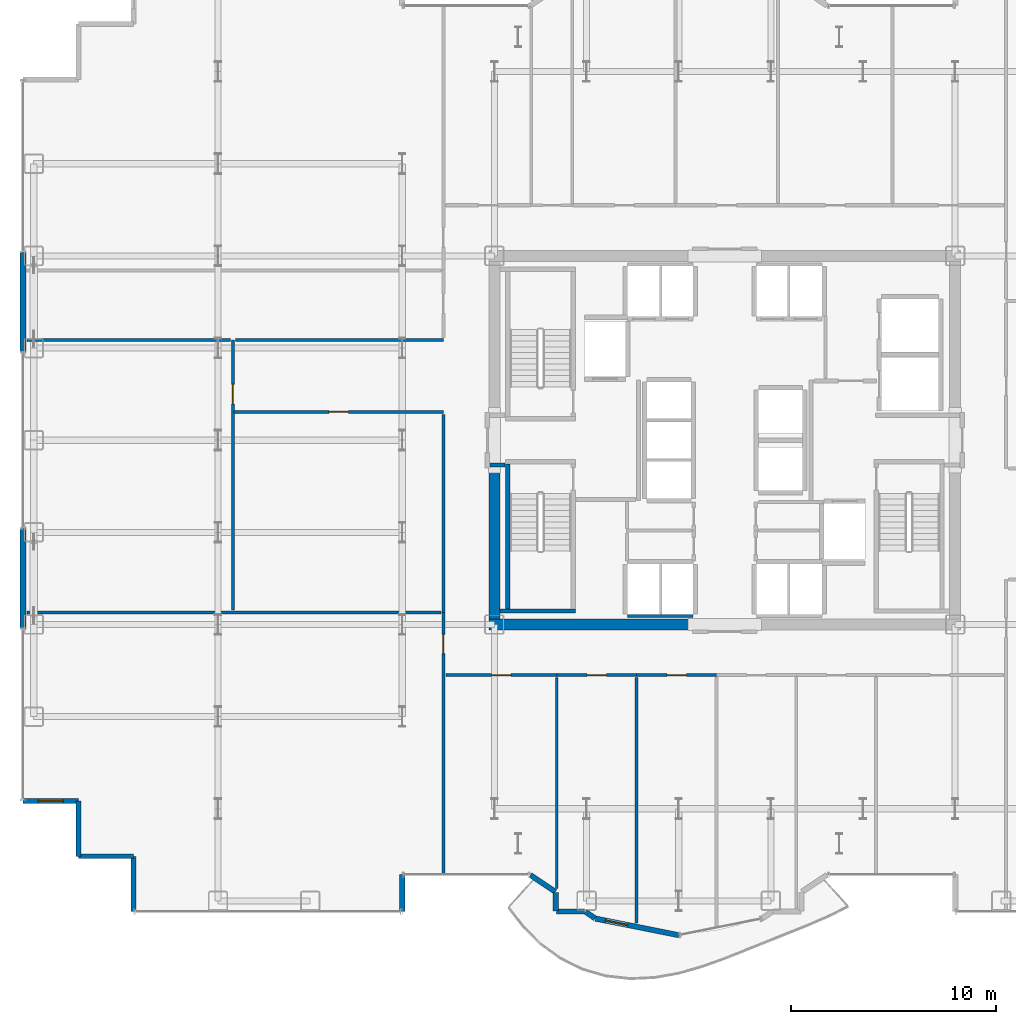
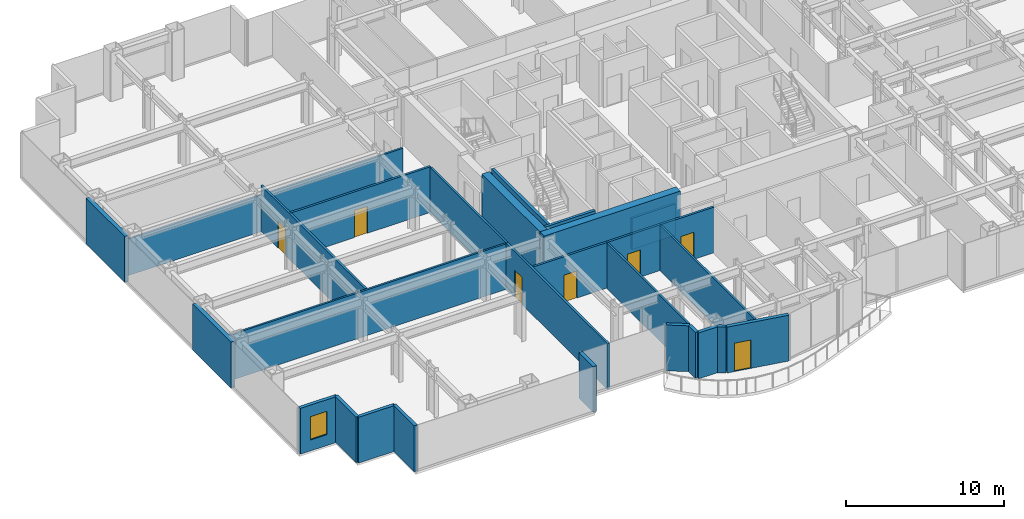
# One storey, part 22 of 29: 30 walls, 7 doors, 1 window, 8 openings.
"""IFC4 building model written with IfcOpenShell, lengths in metres."""

from ifc_helpers import new_model, si_unit, direction, frame, frame_2d, origin, place, context, subcontext, project, spatial, rectangle, extrude, source, transform, mapped, material, layer, layer_set, type_object, element, fill, save


model = new_model("IFC4")

# Units and contexts
model_context = context("Model", 3, precision=1e-05, world=origin(), true_north=direction((0.0, 1.0)))
body_context = subcontext(model_context, "Body", "Model", "MODEL_VIEW")
ifc_project = project(units=[si_unit("LENGTHUNIT", "METRE"), si_unit("AREAUNIT", "SQUARE_METRE"), si_unit("VOLUMEUNIT", "CUBIC_METRE"), si_unit("PLANEANGLEUNIT", "RADIAN"), si_unit("MASSUNIT", "GRAM", prefix="KILO")], contexts=[model_context])

# Site, building, storey
site_placement = place(None, origin())
site = spatial("IfcSite", under=ifc_project, at=site_placement, CompositionType="ELEMENT")
building_placement = place(site_placement, origin())
building = spatial("IfcBuilding", under=site, at=building_placement, Name="Nefas-Gora Pilgrimage Tower", CompositionType="ELEMENT")
storey_placement = place(building_placement, frame((0.0, 0.0, 90.800048828125)))
storey = spatial("IfcBuildingStorey", under=building, at=storey_placement, Name="L21", CompositionType="ELEMENT", Elevation=90.800048828125)

# Walls
ifc_material_1 = material(Name="Concrete C60/75", Category="concrete")
ifc_layer_1 = layer(ifc_material_1, 0.550048828125)
ifc_layer_set_1 = layer_set([ifc_layer_1], Name="Concrete C60/75")
wall_type_1 = type_object("IfcWallType", Name="SW-CORE-550", PredefinedType="SHEAR", material=ifc_layer_set_1)
shared_shape_1 = source(origin(), body_context, "Body", "SweptSolid", [
    extrude(rectangle(XDim=9.974853515625, YDim=0.550048828125, at=frame_2d((4.9873046875, 0.0))), origin(), (0.0, 0.0, 1.0), 3.800048828125),
])
wall_1_placement = place(storey_placement, frame((-11.52490234375, -9.0, 0.0), z_axis=(0.0, 0.0, 1.0), x_axis=(1.0, 0.0, 0.0)))
element("IfcWall", 1, at=wall_1_placement, inside=storey, type_object=wall_type_1, Name="L21 Core Shear Wall S-West", PredefinedType="SHEAR", context=body_context, shape_type="MappedRepresentation", body=[
    mapped(shared_shape_1, transform((0.0, 0.0, 0.0), x_axis=(1.0, 0.0, 0.0), y_axis=(0.0, 1.0, 0.0), z_axis=(0.0, 0.0, 1.0), scale=1.0)),
])
shared_shape_2 = source(origin(), body_context, "Body", "SweptSolid", [
    extrude(rectangle(XDim=7.375, YDim=0.550048828125, at=frame_2d((3.6875, 0.0))), origin(), (0.0, 0.0, 1.0), 3.800048828125),
])
wall_2_placement = place(storey_placement, frame((-11.25, -8.72509765625, 0.0), z_axis=(0.0, 0.0, 1.0), x_axis=(0.0, 1.0, 0.0)))
element("IfcWall", 2, at=wall_2_placement, inside=storey, type_object=wall_type_1, Name="L21 Core Shear Wall W-South", PredefinedType="SHEAR", context=body_context, shape_type="MappedRepresentation", body=[
    mapped(shared_shape_2, transform((0.0, 0.0, 0.0), x_axis=(1.0, 0.0, 0.0), y_axis=(0.0, 1.0, 0.0), z_axis=(0.0, 0.0, 1.0), scale=1.0)),
])
ifc_material_2 = material(Name="Precast concrete C45/55", Category="concrete")
ifc_layer_2 = layer(ifc_material_2, 0.239990234375)
ifc_layer_set_2 = layer_set([ifc_layer_2], Name="Precast concrete C45/55")
wall_type_2 = type_object("IfcWallType", Name="EW-SERR-240", PredefinedType="SHEAR", material=ifc_layer_set_2)
shared_shape_3 = source(origin(), body_context, "Body", "SweptSolid", [
    extrude(rectangle(XDim=4.8798828125, YDim=0.300048828125, at=frame_2d((2.43994140625, 0.0))), origin(), (0.0, 0.0, 1.0), 3.550048828125),
])
for number, where, z_axis, x_axis, name in (
    (3, (-34.27001953125, -9.18994140625, 0.0), (0.0, 0.0, 1.0), (0.0, 1.0, 0.0), "L21 Braced-Tube Precast Shear Cladding 1"),
    (4, (-34.27001953125, 4.31005859375, 0.0), (0.0, 0.0, 1.0), (0.0, 1.0, 0.0), "L21 Braced-Tube Precast Shear Cladding 2"),
):
    element("IfcWall", number, at=place(storey_placement, frame(where, z_axis=z_axis, x_axis=x_axis)), inside=storey, type_object=wall_type_2, Name=name, PredefinedType="SHEAR", context=body_context, shape_type="MappedRepresentation", body=[
        mapped(shared_shape_3, transform((0.0, 0.0, 0.0), x_axis=(1.0, 0.0, 0.0), y_axis=(0.0, 1.0, 0.0), z_axis=(0.0, 0.0, 1.0), scale=1.0)),
    ])
ifc_material_3 = material(Name="Precast concrete C40/50", Category="concrete")
ifc_layer_3 = layer(ifc_material_3, 0.260009765625)
ifc_layer_set_3 = layer_set([ifc_layer_3], Name="Precast concrete C40/50")
wall_type_3 = type_object("IfcWallType", Name="EW-PORTAL-260", PredefinedType="SOLIDWALL", material=ifc_layer_set_3)
shared_shape_4 = source(origin(), body_context, "Body", "SweptSolid", [
    extrude(rectangle(XDim=1.800048828125, YDim=0.260009765625, at=frame_2d((0.89990234375, 0.0))), origin(), (0.0, 0.0, 1.0), 3.550048828125),
])
wall_3_placement = place(storey_placement, frame((-15.75, -23.02001953125, 0.0), z_axis=(0.0, 0.0, 1.0), x_axis=(0.0, 1.0, 0.0)))
element("IfcWall", 5, at=wall_3_placement, inside=storey, type_object=wall_type_3, Name="L21 Lobe Shoulder Precast Spandrel Pier 33", PredefinedType="SOLIDWALL", context=body_context, shape_type="MappedRepresentation", body=[
    mapped(shared_shape_4, transform((0.0, 0.0, 0.0), x_axis=(1.0, 0.0, 0.0), y_axis=(0.0, 1.0, 0.0), z_axis=(0.0, 0.0, 1.0), scale=1.0)),
])

# Wall, opening, window
shared_shape_5 = source(origin(), body_context, "Body", "SweptSolid", [
    extrude(rectangle(XDim=2.699951171875, YDim=0.239990234375, at=frame_2d((1.35009765625, 0.0))), origin(), (0.0, 0.0, 1.0), 3.550048828125),
])
wall_4_placement = place(storey_placement, frame((-34.27001953125, -17.6201171875, 0.0), z_axis=(0.0, 0.0, 1.0), x_axis=(1.0, 0.0, 0.0)))
wall_4 = element("IfcWall", 6, at=wall_4_placement, inside=storey, type_object=wall_type_2, Name="L21 Serrated Corner Shear Pier Wall 29", PredefinedType="SHEAR", context=body_context, shape_type="MappedRepresentation", body=[
    mapped(shared_shape_5, transform((0.0, 0.0, 0.0), x_axis=(1.0, 0.0, 0.0), y_axis=(0.0, 1.0, 0.0), z_axis=(0.0, 0.0, 1.0), scale=1.0)),
])
opening_1_placement = place(wall_4_placement, frame((0.75, 0.0, 0.85009765625)))
opening_1 = element("IfcOpeningElement", 7, at=opening_1_placement, cuts=wall_4, Name="Opening W-V1", PredefinedType="OPENING", context=body_context, shape_type="SweptSolid", body=[
    extrude(rectangle(XDim=1.199951171875, YDim=1.800048828125, at=frame_2d((0.60009765625, 0.89990234375))), frame((0.0, 0.1298828125, 0.0), z_axis=(0.0, -1.0, 0.0), x_axis=(1.0, 0.0, 0.0)), (0.0, 0.0, 1.0), 0.260009765625),
])
ifc_material_4 = material(Name="Dark ceramic-fritted operable aluminium-glass window", Category="aluminium")
window_type = type_object("IfcWindowType", Name="WIN-VENT-1200x1800", PartitioningType="SINGLE_PANEL", PredefinedType="WINDOW", material=ifc_material_4)
shared_shape_6 = source(origin(), body_context, "Body", "SweptSolid", [
    extrude(rectangle(XDim=1.199951171875, YDim=1.800048828125, at=frame_2d((0.60009765625, 0.89990234375))), frame((0.0, 0.030029296875, 0.0), z_axis=(0.0, -1.0, 0.0), x_axis=(1.0, 0.0, 0.0)), (0.0, 0.0, 1.0), 0.06005859375),
])
window_placement = place(opening_1_placement, origin())
window = element("IfcWindow", 8, at=window_placement, inside=storey, type_object=window_type, Name="L21 Operable Parallel-Outswing Window 29", OverallHeight=1.800048828125, OverallWidth=1.199951171875, PartitioningType="SINGLE_PANEL", PredefinedType="WINDOW", context=body_context, shape_type="MappedRepresentation", body=[
    mapped(shared_shape_6, transform((0.0, 0.0, 0.0), x_axis=(1.0, 0.0, 0.0), y_axis=(0.0, 1.0, 0.0), z_axis=(0.0, 0.0, 1.0), scale=1.0)),
])
fill(opening_1, window)

# Walls
for number, where, z_axis, x_axis, name in (
    (9, (-31.570068359375, -17.6201171875, 0.0), (0.0, 0.0, 1.0), (0.0, -1.0, 0.0), "L21 Serrated Corner Shear Pier Wall 30"),
    (10, (-31.570068359375, -20.320068359375, 0.0), (0.0, 0.0, 1.0), (1.0, 0.0, 0.0), "L21 Serrated Corner Shear Pier Wall 31"),
    (11, (-28.8701171875, -20.320068359375, 0.0), (0.0, 0.0, 1.0), (0.0, -1.0, 0.0), "L21 Serrated Corner Shear Pier Wall 32"),
):
    element("IfcWall", number, at=place(storey_placement, frame(where, z_axis=z_axis, x_axis=x_axis)), inside=storey, type_object=wall_type_2, Name=name, PredefinedType="SHEAR", context=body_context, shape_type="MappedRepresentation", body=[
        mapped(shared_shape_5, transform((0.0, 0.0, 0.0), x_axis=(1.0, 0.0, 0.0), y_axis=(0.0, 1.0, 0.0), z_axis=(0.0, 0.0, 1.0), scale=1.0)),
    ])
shared_shape_7 = source(origin(), body_context, "Body", "SweptSolid", [
    extrude(rectangle(XDim=1.468994140625, YDim=0.260009765625, at=frame_2d((0.734375, 0.0))), origin(), (0.0, 0.0, 1.0), 3.550048828125),
])
wall_5_placement = place(storey_placement, frame((-9.49462890625, -21.235595703125, 0.0), z_axis=(0.0, 0.0, 1.0), x_axis=(0.831461760506, -0.555581983884, 0.0)))
element("IfcWall", 12, at=wall_5_placement, inside=storey, type_object=wall_type_3, Name="L21 Lobe Shoulder Precast Spandrel Pier 34", PredefinedType="SOLIDWALL", context=body_context, shape_type="MappedRepresentation", body=[
    mapped(shared_shape_7, transform((0.0, 0.0, 0.0), x_axis=(1.0, 0.0, 0.0), y_axis=(0.0, 1.0, 0.0), z_axis=(0.0, 0.0, 1.0), scale=1.0)),
])
shared_shape_8 = source(origin(), body_context, "Body", "SweptSolid", [
    extrude(rectangle(XDim=0.896728515625, YDim=0.260009765625, at=frame_2d((0.4482421875, 0.0))), origin(), (0.0, 0.0, 1.0), 3.550048828125),
])
wall_6_placement = place(storey_placement, frame((-8.25, -22.09521484375, 0.0), z_axis=(0.0, 0.0, 1.0), x_axis=(0.0, -1.0, 0.0)))
element("IfcWall", 13, at=wall_6_placement, inside=storey, type_object=wall_type_3, Name="L21 Lobe Shoulder Precast Spandrel Pier 35", PredefinedType="SOLIDWALL", context=body_context, shape_type="MappedRepresentation", body=[
    mapped(shared_shape_8, transform((0.0, 0.0, 0.0), x_axis=(1.0, 0.0, 0.0), y_axis=(0.0, 1.0, 0.0), z_axis=(0.0, 0.0, 1.0), scale=1.0)),
])
shared_shape_9 = source(origin(), body_context, "Body", "SweptSolid", [
    extrude(rectangle(XDim=1.369873046875, YDim=0.260009765625, at=frame_2d((0.68505859375, 0.0))), origin(), (0.0, 0.0, 1.0), 3.550048828125),
])
wall_7_placement = place(storey_placement, frame((-8.221923828125, -23.02001953125, 0.0), z_axis=(0.0, 0.0, 1.0), x_axis=(1.0, 0.0, 0.0)))
element("IfcWall", 14, at=wall_7_placement, inside=storey, type_object=wall_type_3, Name="L21 Lobe Shoulder Precast Spandrel Pier 36", PredefinedType="SOLIDWALL", context=body_context, shape_type="MappedRepresentation", body=[
    mapped(shared_shape_9, transform((0.0, 0.0, 0.0), x_axis=(1.0, 0.0, 0.0), y_axis=(0.0, 1.0, 0.0), z_axis=(0.0, 0.0, 1.0), scale=1.0)),
])
shared_shape_10 = source(origin(), body_context, "Body", "SweptSolid", [
    extrude(rectangle(XDim=0.5654296875, YDim=0.260009765625, at=frame_2d((0.28271484375, 0.0))), origin(), (0.0, 0.0, 1.0), 3.550048828125),
])
wall_8_placement = place(storey_placement, frame((-6.80078125, -23.03564453125, 0.0), z_axis=(0.0, 0.0, 1.0), x_axis=(0.831651492666, -0.555297933317, 0.0)))
element("IfcWall", 15, at=wall_8_placement, inside=storey, type_object=wall_type_3, Name="L21 Lobe Shoulder Precast Spandrel Pier 37", PredefinedType="SOLIDWALL", context=body_context, shape_type="MappedRepresentation", body=[
    mapped(shared_shape_10, transform((0.0, 0.0, 0.0), x_axis=(1.0, 0.0, 0.0), y_axis=(0.0, 1.0, 0.0), z_axis=(0.0, 0.0, 1.0), scale=1.0)),
])

# Wall, opening, door
shared_shape_11 = source(origin(), body_context, "Body", "SweptSolid", [
    extrude(rectangle(XDim=4.136962890625, YDim=0.260009765625, at=frame_2d((2.068359375, 0.0))), origin(), (0.0, 0.0, 1.0), 3.550048828125),
])
wall_9_placement = place(storey_placement, frame((-6.307373046875, -23.365234375, 0.0), z_axis=(0.0, 0.0, 1.0), x_axis=(0.980782170794, -0.195105954428, 0.0)))
wall_9 = element("IfcWall", 16, at=wall_9_placement, inside=storey, type_object=wall_type_3, Name="L21 Insulated Terrace Portal Wall 38", PredefinedType="SOLIDWALL", context=body_context, shape_type="MappedRepresentation", body=[
    mapped(shared_shape_11, transform((0.0, 0.0, 0.0), x_axis=(1.0, 0.0, 0.0), y_axis=(0.0, 1.0, 0.0), z_axis=(0.0, 0.0, 1.0), scale=1.0)),
])
opening_2_placement = place(wall_9_placement, frame((0.48779296875, 0.0, 0.0)))
opening_2 = element("IfcOpeningElement", 17, at=opening_2_placement, cuts=wall_9, Name="Opening ED-B1", PredefinedType="OPENING", context=body_context, shape_type="SweptSolid", body=[
    extrude(rectangle(XDim=1.10009765625, YDim=2.199951171875, at=frame_2d((0.550048828125, 1.10009765625))), frame((0.0, 0.139892578125, 0.0), z_axis=(0.0, -1.0, 0.0), x_axis=(1.0, 0.0, 0.0)), (0.0, 0.0, 1.0), 0.280029296875),
])
ifc_material_5 = material(Name="Thermally broken glazed aluminium balcony door", Category="aluminium")
door_type_1 = type_object("IfcDoorType", Name="DR-EXT-BAL-1100", OperationType="NOTDEFINED", PredefinedType="DOOR", material=ifc_material_5)
shared_shape_12 = source(origin(), body_context, "Body", "SweptSolid", [
    extrude(rectangle(XDim=1.10009765625, YDim=2.199951171875, at=frame_2d((0.550048828125, 1.10009765625))), frame((0.0, 0.02490234375, 0.0), z_axis=(0.0, -1.0, 0.0), x_axis=(1.0, 0.0, 0.0)), (0.0, 0.0, 1.0), 0.050048828125),
])
door_1_placement = place(opening_2_placement, origin())
door_1 = element("IfcDoor", 18, at=door_1_placement, inside=storey, type_object=door_type_1, Name="L21 Exterior Door (L21 S Lobe Wave Balcony)", OperationType="SINGLE_SWING_RIGHT", OverallHeight=2.199951171875, OverallWidth=1.10009765625, PredefinedType="DOOR", context=body_context, shape_type="MappedRepresentation", body=[
    mapped(shared_shape_12, transform((0.0, 0.0, 0.0), x_axis=(1.0, 0.0, 0.0), y_axis=(0.0, 1.0, 0.0), z_axis=(0.0, 0.0, 1.0), scale=1.0)),
])
fill(opening_2, door_1)

# Walls
ifc_material_6 = material(Name="Concrete C45/55", Category="concrete")
ifc_layer_4 = layer(ifc_material_6, 0.199951171875)
ifc_layer_set_4 = layer_set([ifc_layer_4], Name="Concrete C45/55")
wall_type_4 = type_object("IfcWallType", Name="IW-STAIR-200", PredefinedType="SOLIDWALL", material=ifc_layer_set_4)
shared_shape_13 = source(origin(), body_context, "Body", "SweptSolid", [
    extrude(rectangle(XDim=7.10009765625, YDim=0.199951171875, at=frame_2d((3.550048828125, 0.0))), origin(), (0.0, 0.0, 1.0), 3.800048828125),
])
wall_10_placement = place(storey_placement, frame((-10.60009765625, -1.14990234375, 0.0), z_axis=(0.0, 0.0, 1.0), x_axis=(0.0, -1.0, 0.0)))
element("IfcWall", 19, at=wall_10_placement, inside=storey, type_object=wall_type_4, Name="L21 Stairwell Shear Wall ST-03-left", PredefinedType="SOLIDWALL", context=body_context, shape_type="MappedRepresentation", body=[
    mapped(shared_shape_13, transform((0.0, 0.0, 0.0), x_axis=(1.0, 0.0, 0.0), y_axis=(0.0, 1.0, 0.0), z_axis=(0.0, 0.0, 1.0), scale=1.0)),
])
shared_shape_14 = source(origin(), body_context, "Body", "SweptSolid", [
    extrude(rectangle(XDim=3.679931640625, YDim=0.199951171875, at=frame_2d((1.83984375, 0.0))), origin(), (0.0, 0.0, 1.0), 3.800048828125),
])
wall_11_placement = place(storey_placement, frame((-10.97998046875, -8.35009765625, 0.0), z_axis=(0.0, 0.0, 1.0), x_axis=(1.0, 0.0, 0.0)))
element("IfcWall", 20, at=wall_11_placement, inside=storey, type_object=wall_type_4, Name="L21 Stairwell Shear Wall ST-03-far", PredefinedType="SOLIDWALL", context=body_context, shape_type="MappedRepresentation", body=[
    mapped(shared_shape_14, transform((0.0, 0.0, 0.0), x_axis=(1.0, 0.0, 0.0), y_axis=(0.0, 1.0, 0.0), z_axis=(0.0, 0.0, 1.0), scale=1.0)),
])
ifc_material_7 = material(Name="Gypsum acoustic stud partition")
ifc_layer_5 = layer(ifc_material_7, 0.159912109375)
ifc_layer_set_5 = layer_set([ifc_layer_5], Name="Gypsum acoustic stud partition")
wall_type_5 = type_object("IfcWallType", Name="IW-CORR-160", PredefinedType="PARTITIONING", material=ifc_layer_set_5)
shared_shape_15 = source(origin(), body_context, "Body", "SweptSolid", [
    extrude(rectangle(XDim=3.199951171875, YDim=0.159912109375, at=frame_2d((1.60009765625, 0.0))), origin(), (0.0, 0.0, 1.0), 2.425048828125),
])
wall_12_placement = place(storey_placement, frame((-4.75, -8.580078125, 0.0), z_axis=(0.0, 0.0, 1.0), x_axis=(1.0, 0.0, 0.0)))
element("IfcWall", 21, at=wall_12_placement, inside=storey, type_object=wall_type_5, Name="L21 Hoistway Wall PL2-W-S", PredefinedType="PARTITIONING", context=body_context, shape_type="MappedRepresentation", body=[
    mapped(shared_shape_15, transform((0.0, 0.0, 0.0), x_axis=(1.0, 0.0, 0.0), y_axis=(0.0, 1.0, 0.0), z_axis=(0.0, 0.0, 1.0), scale=1.0)),
])
ifc_material_8 = material(Name="Gypsum fire-rated shaftwall")
ifc_layer_6 = layer(ifc_material_8, 0.199951171875)
ifc_layer_set_6 = layer_set([ifc_layer_6], Name="Gypsum fire-rated shaftwall")
wall_type_6 = type_object("IfcWallType", Name="IW-FFLOB-200", PredefinedType="PARTITIONING", material=ifc_layer_set_6)
shared_shape_16 = source(origin(), body_context, "Body", "SweptSolid", [
    extrude(rectangle(XDim=0.719970703125, YDim=0.199951171875, at=frame_2d((0.35986328125, 0.0))), origin(), (0.0, 0.0, 1.0), 3.534912109375),
])
wall_13_placement = place(storey_placement, frame((-11.4599609375, -1.219970703125, 0.0), z_axis=(0.0, 0.0, 1.0), x_axis=(1.0, 0.0, 0.0)))
element("IfcWall", 22, at=wall_13_placement, inside=storey, type_object=wall_type_6, Name="L21 FF Lobby West Throat S Wall 7", PredefinedType="PARTITIONING", context=body_context, shape_type="MappedRepresentation", body=[
    mapped(shared_shape_16, transform((0.0, 0.0, 0.0), x_axis=(1.0, 0.0, 0.0), y_axis=(0.0, 1.0, 0.0), z_axis=(0.0, 0.0, 1.0), scale=1.0)),
])
ifc_material_9 = material(Name="Gypsum twin-stud partition")
ifc_layer_7 = layer(ifc_material_9, 0.139892578125)
ifc_layer_set_7 = layer_set([ifc_layer_7], Name="Gypsum twin-stud partition")
wall_type_7 = type_object("IfcWallType", Name="IW-UNIT-140", PredefinedType="PARTITIONING", material=ifc_layer_set_7)
shared_shape_17 = source(origin(), body_context, "Body", "SweptSolid", [
    extrude(rectangle(XDim=20.219970703125, YDim=0.139892578125, at=frame_2d((10.10986328125, 0.0))), origin(), (0.0, 0.0, 1.0), 3.534912109375),
])
wall_14_placement = place(storey_placement, frame((-34.080078125, -8.405029296875, 0.0), z_axis=(0.0, 0.0, 1.0), x_axis=(1.0, 0.0, 0.0)))
element("IfcWall", 23, at=wall_14_placement, inside=storey, type_object=wall_type_7, Name="L21 Pilgrim Tea and Beverage Pantry Partition Wall 29", PredefinedType="PARTITIONING", context=body_context, shape_type="MappedRepresentation", body=[
    mapped(shared_shape_17, transform((0.0, 0.0, 0.0), x_axis=(1.0, 0.0, 0.0), y_axis=(0.0, 1.0, 0.0), z_axis=(0.0, 0.0, 1.0), scale=1.0)),
])

# Wall, opening, door
shared_shape_18 = source(origin(), body_context, "Body", "SweptSolid", [
    extrude(rectangle(XDim=10.25, YDim=0.159912109375, at=frame_2d((5.125, 0.0))), origin(), (0.0, 0.0, 1.0), 3.534912109375),
])
wall_15_placement = place(storey_placement, frame((-23.97998046875, 1.3798828125, 0.0), z_axis=(0.0, 0.0, 1.0), x_axis=(1.0, 0.0, 0.0)))
wall_15 = element("IfcWall", 24, at=wall_15_placement, inside=storey, type_object=wall_type_5, Name="L21 Pilgrim Tea and Beverage Pantry Partition Wall 30", PredefinedType="PARTITIONING", context=body_context, shape_type="MappedRepresentation", body=[
    mapped(shared_shape_18, transform((0.0, 0.0, 0.0), x_axis=(1.0, 0.0, 0.0), y_axis=(0.0, 1.0, 0.0), z_axis=(0.0, 0.0, 1.0), scale=1.0)),
])
opening_3_placement = place(wall_15_placement, frame((4.64990234375, 0.0, 0.0)))
opening_3 = element("IfcOpeningElement", 25, at=opening_3_placement, cuts=wall_15, Name="Opening ID-GR1", PredefinedType="OPENING", context=body_context, shape_type="SweptSolid", body=[
    extrude(rectangle(XDim=0.949951171875, YDim=2.10009765625, at=frame_2d((0.47509765625, 1.050048828125))), frame((0.0, 0.08984375, 0.0), z_axis=(0.0, -1.0, 0.0), x_axis=(1.0, 0.0, 0.0)), (0.0, 0.0, 1.0), 0.179931640625),
])
ifc_material_10 = material(Name="Solid core oak fire-rated guest entrance door")
door_type_2 = type_object("IfcDoorType", Name="DR-INT-GUEST-950", OperationType="NOTDEFINED", PredefinedType="DOOR", material=ifc_material_10)
shared_shape_19 = source(origin(), body_context, "Body", "SweptSolid", [
    extrude(rectangle(XDim=0.949951171875, YDim=2.10009765625, at=frame_2d((0.47509765625, 1.050048828125))), frame((0.0, 0.02490234375, 0.0), z_axis=(0.0, -1.0, 0.0), x_axis=(1.0, 0.0, 0.0)), (0.0, 0.0, 1.0), 0.050048828125),
])
door_2_placement = place(opening_3_placement, origin())
door_2 = element("IfcDoor", 26, at=door_2_placement, inside=storey, type_object=door_type_2, Name="L21 Pilgrim Tea and Beverage Pantry Door 12", OperationType="SINGLE_SWING_LEFT", OverallHeight=2.10009765625, OverallWidth=0.949951171875, PredefinedType="DOOR", context=body_context, shape_type="MappedRepresentation", body=[
    mapped(shared_shape_19, transform((0.0, 0.0, 0.0), x_axis=(1.0, 0.0, 0.0), y_axis=(0.0, 1.0, 0.0), z_axis=(0.0, 0.0, 1.0), scale=1.0)),
])
fill(opening_3, door_2)

# Walls
shared_shape_20 = source(origin(), body_context, "Body", "SweptSolid", [
    extrude(rectangle(XDim=10.169921875, YDim=0.139892578125, at=frame_2d((5.0849609375, 0.0))), origin(), (0.0, 0.0, 1.0), 2.824951171875),
])
wall_16_placement = place(storey_placement, frame((-23.89990234375, 4.89501953125, 0.0), z_axis=(0.0, 0.0, 1.0), x_axis=(1.0, 0.0, 0.0)))
element("IfcWall", 27, at=wall_16_placement, inside=storey, type_object=wall_type_7, Name="L21 Pilgrim Tea and Beverage Pantry Partition Wall 34", PredefinedType="PARTITIONING", context=body_context, shape_type="MappedRepresentation", body=[
    mapped(shared_shape_20, transform((0.0, 0.0, 0.0), x_axis=(1.0, 0.0, 0.0), y_axis=(0.0, 1.0, 0.0), z_axis=(0.0, 0.0, 1.0), scale=1.0)),
])
shared_shape_21 = source(origin(), body_context, "Body", "SweptSolid", [
    extrude(rectangle(XDim=9.940185546875, YDim=0.139892578125, at=frame_2d((4.97021484375, 0.0))), origin(), (0.0, 0.0, 1.0), 2.824951171875),
])
wall_17_placement = place(storey_placement, frame((-34.080078125, 4.89501953125, 0.0), z_axis=(0.0, 0.0, 1.0), x_axis=(1.0, 0.0, 0.0)))
element("IfcWall", 28, at=wall_17_placement, inside=storey, type_object=wall_type_7, Name="L21 Pilgrim Tea and Beverage Pantry Partition Wall 33", PredefinedType="PARTITIONING", context=body_context, shape_type="MappedRepresentation", body=[
    mapped(shared_shape_21, transform((0.0, 0.0, 0.0), x_axis=(1.0, 0.0, 0.0), y_axis=(0.0, 1.0, 0.0), z_axis=(0.0, 0.0, 1.0), scale=1.0)),
])

# Wall, opening, door
shared_shape_22 = source(origin(), body_context, "Body", "SweptSolid", [
    extrude(rectangle(XDim=5.425048828125, YDim=0.159912109375, at=frame_2d((2.71240234375, 0.0))), origin(), (0.0, 0.0, 1.0), 3.534912109375),
])
wall_18_placement = place(storey_placement, frame((-13.6201171875, -11.469970703125, 0.0), z_axis=(0.0, 0.0, 1.0), x_axis=(1.0, 0.0, 0.0)))
wall_18 = element("IfcWall", 29, at=wall_18_placement, inside=storey, type_object=wall_type_5, Name="L21 Pilgrim Contemplative Lounge Partition Wall 56", PredefinedType="PARTITIONING", context=body_context, shape_type="MappedRepresentation", body=[
    mapped(shared_shape_22, transform((0.0, 0.0, 0.0), x_axis=(1.0, 0.0, 0.0), y_axis=(0.0, 1.0, 0.0), z_axis=(0.0, 0.0, 1.0), scale=1.0)),
])
opening_4_placement = place(wall_18_placement, frame((2.237548828125, 0.0, 0.0)))
opening_4 = element("IfcOpeningElement", 30, at=opening_4_placement, cuts=wall_18, Name="Opening ID-GR1", PredefinedType="OPENING", context=body_context, shape_type="SweptSolid", body=[
    extrude(rectangle(XDim=0.949951171875, YDim=2.10009765625, at=frame_2d((0.47509765625, 1.050048828125))), frame((0.0, 0.08984375, 0.0), z_axis=(0.0, -1.0, 0.0), x_axis=(1.0, 0.0, 0.0)), (0.0, 0.0, 1.0), 0.179931640625),
])
door_3_placement = place(opening_4_placement, origin())
door_3 = element("IfcDoor", 31, at=door_3_placement, inside=storey, type_object=door_type_2, Name="L21 Pilgrim Contemplative Lounge Door 26", OperationType="SINGLE_SWING_LEFT", OverallHeight=2.10009765625, OverallWidth=0.949951171875, PredefinedType="DOOR", context=body_context, shape_type="MappedRepresentation", body=[
    mapped(shared_shape_19, transform((0.0, 0.0, 0.0), x_axis=(1.0, 0.0, 0.0), y_axis=(0.0, 1.0, 0.0), z_axis=(0.0, 0.0, 1.0), scale=1.0)),
])
fill(opening_4, door_3)

shared_shape_23 = source(origin(), body_context, "Body", "SweptSolid", [
    extrude(rectangle(XDim=12.844970703125, YDim=0.159912109375, at=frame_2d((6.42236328125, 0.0))), origin(), (0.0, 0.0, 1.0), 3.534912109375),
])
wall_19_placement = place(storey_placement, frame((-13.739990234375, -21.239990234375, 0.0), z_axis=(0.0, 0.0, 1.0), x_axis=(0.0, 1.0, 0.0)))
wall_19 = element("IfcWall", 32, at=wall_19_placement, inside=storey, type_object=wall_type_5, Name="L21 Pilgrim Tea and Beverage Pantry Partition Wall 28", PredefinedType="PARTITIONING", context=body_context, shape_type="MappedRepresentation", body=[
    mapped(shared_shape_23, transform((0.0, 0.0, 0.0), x_axis=(1.0, 0.0, 0.0), y_axis=(0.0, 1.0, 0.0), z_axis=(0.0, 0.0, 1.0), scale=1.0)),
])
opening_5_placement = place(wall_19_placement, frame((10.8125, 0.0, 0.0)))
opening_5 = element("IfcOpeningElement", 33, at=opening_5_placement, cuts=wall_19, Name="Opening ID-GR1", PredefinedType="OPENING", context=body_context, shape_type="SweptSolid", body=[
    extrude(rectangle(XDim=0.949951171875, YDim=2.10009765625, at=frame_2d((0.47509765625, 1.050048828125))), frame((0.0, 0.08984375, 0.0), z_axis=(0.0, -1.0, 0.0), x_axis=(1.0, 0.0, 0.0)), (0.0, 0.0, 1.0), 0.179931640625),
])
door_4_placement = place(opening_5_placement, origin())
door_4 = element("IfcDoor", 34, at=door_4_placement, inside=storey, type_object=door_type_2, Name="L21 Pilgrim Tea and Beverage Pantry Door 11", OperationType="SINGLE_SWING_RIGHT", OverallHeight=2.10009765625, OverallWidth=0.949951171875, PredefinedType="DOOR", context=body_context, shape_type="MappedRepresentation", body=[
    mapped(shared_shape_19, transform((0.0, 0.0, 0.0), x_axis=(1.0, 0.0, 0.0), y_axis=(0.0, 1.0, 0.0), z_axis=(0.0, 0.0, 1.0), scale=1.0)),
])
fill(opening_5, door_4)

shared_shape_24 = source(origin(), body_context, "Body", "SweptSolid", [
    extrude(rectangle(XDim=3.905029296875, YDim=0.159912109375, at=frame_2d((1.95263671875, 0.0))), origin(), (0.0, 0.0, 1.0), 3.534912109375),
])
wall_20_placement = place(storey_placement, frame((-8.205078125, -11.469970703125, 0.0), z_axis=(0.0, 0.0, 1.0), x_axis=(1.0, 0.0, 0.0)))
wall_20 = element("IfcWall", 35, at=wall_20_placement, inside=storey, type_object=wall_type_5, Name="L21 Pilgrim Contemplative Lounge Partition Wall 58", PredefinedType="PARTITIONING", context=body_context, shape_type="MappedRepresentation", body=[
    mapped(shared_shape_24, transform((0.0, 0.0, 0.0), x_axis=(1.0, 0.0, 0.0), y_axis=(0.0, 1.0, 0.0), z_axis=(0.0, 0.0, 1.0), scale=1.0)),
])
opening_6_placement = place(wall_20_placement, frame((1.4775390625, 0.0, 0.0)))
opening_6 = element("IfcOpeningElement", 36, at=opening_6_placement, cuts=wall_20, Name="Opening ID-GR1", PredefinedType="OPENING", context=body_context, shape_type="SweptSolid", body=[
    extrude(rectangle(XDim=0.949951171875, YDim=2.10009765625, at=frame_2d((0.47509765625, 1.050048828125))), frame((0.0, 0.08984375, 0.0), z_axis=(0.0, -1.0, 0.0), x_axis=(1.0, 0.0, 0.0)), (0.0, 0.0, 1.0), 0.179931640625),
])
door_5_placement = place(opening_6_placement, origin())
door_5 = element("IfcDoor", 37, at=door_5_placement, inside=storey, type_object=door_type_2, Name="L21 Pilgrim Contemplative Lounge Door 27", OperationType="SINGLE_SWING_RIGHT", OverallHeight=2.10009765625, OverallWidth=0.949951171875, PredefinedType="DOOR", context=body_context, shape_type="MappedRepresentation", body=[
    mapped(shared_shape_19, transform((0.0, 0.0, 0.0), x_axis=(1.0, 0.0, 0.0), y_axis=(0.0, 1.0, 0.0), z_axis=(0.0, 0.0, 1.0), scale=1.0)),
])
fill(opening_6, door_5)

wall_21_placement = place(storey_placement, frame((-4.300048828125, -11.469970703125, 0.0), z_axis=(0.0, 0.0, 1.0), x_axis=(1.0, 0.0, 0.0)))
wall_21 = element("IfcWall", 38, at=wall_21_placement, inside=storey, type_object=wall_type_5, Name="L21 Pilgrim Contemplative Lounge Partition Wall 60", PredefinedType="PARTITIONING", context=body_context, shape_type="MappedRepresentation", body=[
    mapped(shared_shape_24, transform((0.0, 0.0, 0.0), x_axis=(1.0, 0.0, 0.0), y_axis=(0.0, 1.0, 0.0), z_axis=(0.0, 0.0, 1.0), scale=1.0)),
])
opening_7_placement = place(wall_21_placement, frame((1.4775390625, 0.0, 0.0)))
opening_7 = element("IfcOpeningElement", 39, at=opening_7_placement, cuts=wall_21, Name="Opening ID-GR1", PredefinedType="OPENING", context=body_context, shape_type="SweptSolid", body=[
    extrude(rectangle(XDim=0.949951171875, YDim=2.10009765625, at=frame_2d((0.47509765625, 1.050048828125))), frame((0.0, 0.08984375, 0.0), z_axis=(0.0, -1.0, 0.0), x_axis=(1.0, 0.0, 0.0)), (0.0, 0.0, 1.0), 0.179931640625),
])
door_6_placement = place(opening_7_placement, origin())
door_6 = element("IfcDoor", 40, at=door_6_placement, inside=storey, type_object=door_type_2, Name="L21 Pilgrim Contemplative Lounge Door 28", OperationType="SINGLE_SWING_LEFT", OverallHeight=2.10009765625, OverallWidth=0.949951171875, PredefinedType="DOOR", context=body_context, shape_type="MappedRepresentation", body=[
    mapped(shared_shape_19, transform((0.0, 0.0, 0.0), x_axis=(1.0, 0.0, 0.0), y_axis=(0.0, 1.0, 0.0), z_axis=(0.0, 0.0, 1.0), scale=1.0)),
])
fill(opening_7, door_6)

# Wall
shared_shape_25 = source(origin(), body_context, "Body", "SweptSolid", [
    extrude(rectangle(XDim=9.6650390625, YDim=0.139892578125, at=frame_2d((4.83251953125, 0.0))), origin(), (0.0, 0.0, 1.0), 3.534912109375),
])
wall_22_placement = place(storey_placement, frame((-13.739990234375, -8.405029296875, 0.0), z_axis=(0.0, 0.0, 1.0), x_axis=(0.0, 1.0, 0.0)))
element("IfcWall", 41, at=wall_22_placement, inside=storey, type_object=wall_type_7, Name="L21 Pilgrim Tea and Beverage Pantry Partition Wall 31", PredefinedType="PARTITIONING", context=body_context, shape_type="MappedRepresentation", body=[
    mapped(shared_shape_25, transform((0.0, 0.0, 0.0), x_axis=(1.0, 0.0, 0.0), y_axis=(0.0, 1.0, 0.0), z_axis=(0.0, 0.0, 1.0), scale=1.0)),
])

# Wall, opening, door
shared_shape_26 = source(origin(), body_context, "Body", "SweptSolid", [
    extrude(rectangle(XDim=13.199951171875, YDim=0.159912109375, at=frame_2d((6.60009765625, 0.0))), origin(), (0.0, 0.0, 1.0), 3.534912109375),
])
wall_23_placement = place(storey_placement, frame((-24.02001953125, -8.294921875, 0.0), z_axis=(0.0, 0.0, 1.0), x_axis=(0.0, 1.0, 0.0)))
wall_23 = element("IfcWall", 42, at=wall_23_placement, inside=storey, type_object=wall_type_5, Name="L21 Pilgrim Tea and Beverage Pantry Partition Wall 32", PredefinedType="PARTITIONING", context=body_context, shape_type="MappedRepresentation", body=[
    mapped(shared_shape_26, transform((0.0, 0.0, 0.0), x_axis=(1.0, 0.0, 0.0), y_axis=(0.0, 1.0, 0.0), z_axis=(0.0, 0.0, 1.0), scale=1.0)),
])
opening_8_placement = place(wall_23_placement, frame((10.070068359375, 0.0, 0.0)))
opening_8 = element("IfcOpeningElement", 43, at=opening_8_placement, cuts=wall_23, Name="Opening ID-GR1", PredefinedType="OPENING", context=body_context, shape_type="SweptSolid", body=[
    extrude(rectangle(XDim=0.949951171875, YDim=2.10009765625, at=frame_2d((0.47509765625, 1.050048828125))), frame((0.0, 0.08984375, 0.0), z_axis=(0.0, -1.0, 0.0), x_axis=(1.0, 0.0, 0.0)), (0.0, 0.0, 1.0), 0.179931640625),
])
door_7_placement = place(opening_8_placement, origin())
door_7 = element("IfcDoor", 44, at=door_7_placement, inside=storey, type_object=door_type_2, Name="L21 Pilgrim Tea and Beverage Pantry Door 13", OperationType="SINGLE_SWING_RIGHT", OverallHeight=2.10009765625, OverallWidth=0.949951171875, PredefinedType="DOOR", context=body_context, shape_type="MappedRepresentation", body=[
    mapped(shared_shape_19, transform((0.0, 0.0, 0.0), x_axis=(1.0, 0.0, 0.0), y_axis=(0.0, 1.0, 0.0), z_axis=(0.0, 0.0, 1.0), scale=1.0)),
])
fill(opening_8, door_7)

# Walls
shared_shape_27 = source(origin(), body_context, "Body", "SweptSolid", [
    extrude(rectangle(XDim=10.30517578125, YDim=0.139892578125, at=frame_2d((5.152587890625, 0.0))), origin(), (0.0, 0.0, 1.0), 3.534912109375),
])
wall_24_placement = place(storey_placement, frame((-8.205078125, -21.895263671875, 0.0), z_axis=(0.0, 0.0, 1.0), x_axis=(0.0, 1.0, 0.0)))
element("IfcWall", 45, at=wall_24_placement, inside=storey, type_object=wall_type_7, Name="L21 Pilgrim Contemplative Lounge Partition Wall 57", PredefinedType="PARTITIONING", context=body_context, shape_type="MappedRepresentation", body=[
    mapped(shared_shape_27, transform((0.0, 0.0, 0.0), x_axis=(1.0, 0.0, 0.0), y_axis=(0.0, 1.0, 0.0), z_axis=(0.0, 0.0, 1.0), scale=1.0)),
])
shared_shape_28 = source(origin(), body_context, "Body", "SweptSolid", [
    extrude(rectangle(XDim=11.99951171875, YDim=0.139892578125, at=frame_2d((5.999755859375, 0.0))), origin(), (0.0, 0.0, 1.0), 3.534912109375),
])
wall_25_placement = place(storey_placement, frame((-4.31005859375, -23.589599609375, 0.0), z_axis=(0.0, 0.0, 1.0), x_axis=(0.0, 1.0, 0.0)))
element("IfcWall", 46, at=wall_25_placement, inside=storey, type_object=wall_type_7, Name="L21 Pilgrim Contemplative Lounge Partition Wall 59", PredefinedType="PARTITIONING", context=body_context, shape_type="MappedRepresentation", body=[
    mapped(shared_shape_28, transform((0.0, 0.0, 0.0), x_axis=(1.0, 0.0, 0.0), y_axis=(0.0, 1.0, 0.0), z_axis=(0.0, 0.0, 1.0), scale=1.0)),
])

save(model, "model.ifc")
